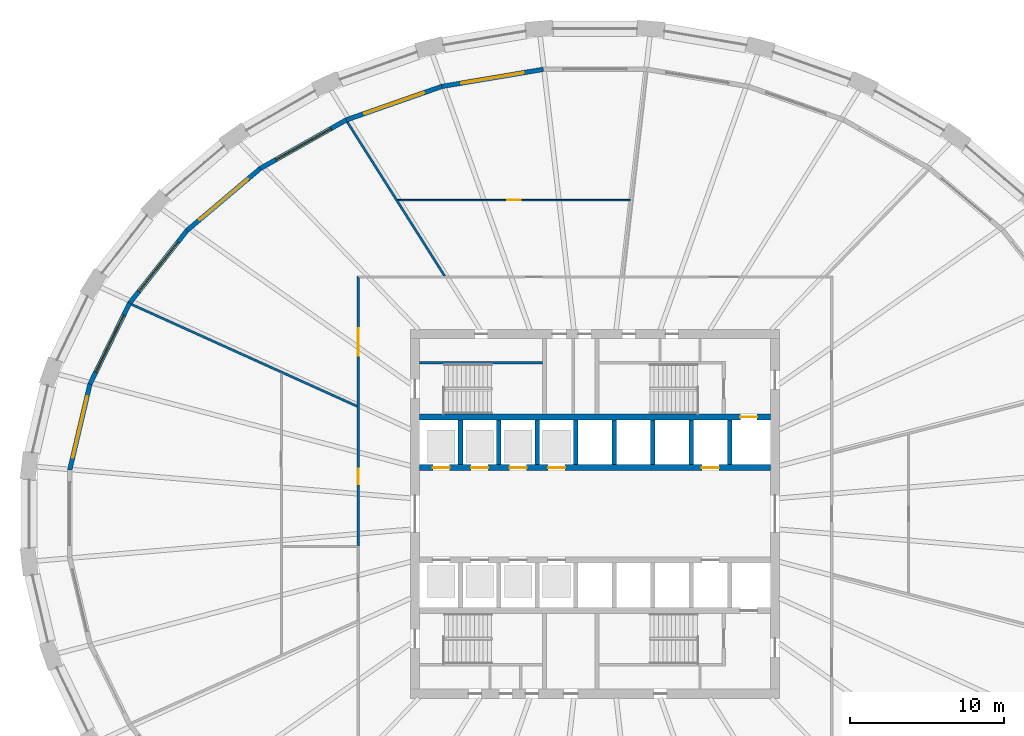
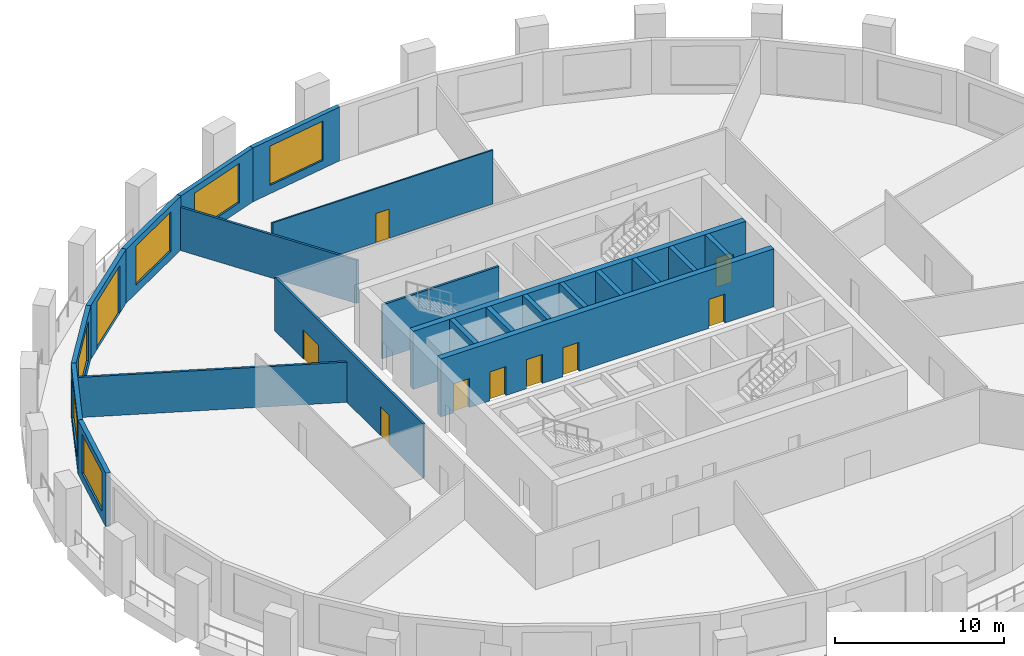
# One storey, part 5 of 10: 22 walls, 10 doors, 6 windows, 16 openings.
"""IFC4 building model written with IfcOpenShell, lengths in metres."""

from ifc_helpers import new_model, si_unit, direction, frame, frame_2d, origin, place, context, subcontext, project, spatial, polyline, rectangle, outline, extrude, material, layer, layer_set, type_object, element, fill, save


model = new_model("IFC4")

# Units and contexts
model_context = context("Model", 3, precision=1e-05, world=origin(), true_north=direction((0.0, 1.0)))
body_context = subcontext(model_context, "Body", "Model", "MODEL_VIEW")
ifc_project = project(units=[si_unit("LENGTHUNIT", "METRE"), si_unit("AREAUNIT", "SQUARE_METRE"), si_unit("VOLUMEUNIT", "CUBIC_METRE"), si_unit("PLANEANGLEUNIT", "RADIAN"), si_unit("MASSUNIT", "GRAM", prefix="KILO")], contexts=[model_context])

# Site, building, storey
site_placement = place(None, origin())
site = spatial("IfcSite", under=ifc_project, at=site_placement, CompositionType="ELEMENT")
building_placement = place(site_placement, origin())
building = spatial("IfcBuilding", under=site, at=building_placement, Name="Halqa Exchange Tower", CompositionType="ELEMENT")
storey_placement = place(building_placement, frame((0.0, 0.0, 61.300048828125)))
storey = spatial("IfcBuildingStorey", under=building, at=storey_placement, Name="L13", CompositionType="ELEMENT", Elevation=61.300048828125)

# Walls
ifc_material_1 = material(Name="Fire-rated gypsum board")
ifc_layer_1 = layer(ifc_material_1, 0.14990234375)
ifc_layer_set_1 = layer_set([ifc_layer_1], Name="Fire-rated gypsum board")
wall_type_1 = type_object("IfcWallType", Name="Fire partition EI 60 150", PredefinedType="PARTITIONING", material=ifc_layer_set_1)
wall_1_placement = place(storey_placement, frame((-30.14111328125, 13.61865234375, 0.0), z_axis=(0.0, 0.0, 1.0), x_axis=(0.911340188741, -0.411654054257, 0.0)))
element("IfcWall", 1, at=wall_1_placement, inside=storey, type_object=wall_type_1, Name="L13-PWL-002", PredefinedType="PARTITIONING", context=body_context, shape_type="SweptSolid", body=[
    extrude(outline(polyline([(0.0, -0.074951171875), (1.795654296875, -0.074951171875), (3.591552734375, -0.074951171875), (5.38720703125, -0.074951171875), (7.182861328125, -0.074951171875), (8.978759765625, -0.074951171875), (10.7744140625, -0.074951171875), (10.777099609375, -0.07373046875), (10.777587890625, -0.074951171875), (12.560546875, -0.074951171875), (14.34375, -0.074951171875), (16.126708984375, -0.074951171875), (16.126708984375, -0.074951171875), (16.05908203125, 0.074951171875), (14.27685546875, 0.074951171875), (12.494873046875, 0.074951171875), (10.712890625, 0.074951171875), (8.9306640625, 0.074951171875), (7.148681640625, 0.074951171875), (5.366455078125, 0.074951171875), (3.58447265625, 0.074951171875), (1.802490234375, 0.074951171875), (0.020263671875, 0.074951171875), (0.001953125, 0.001953125), (0.0, -0.06396484375), (0.0, -0.074951171875)])), origin(), (0.0, 0.0, 1.0), 2.909912109375),
])
wall_2_placement = place(storey_placement, frame((-16.11328125, 25.48193359375, 0.0), z_axis=(0.0, 0.0, 1.0), x_axis=(0.534334526362, -0.845273100209, 0.0)))
element("IfcWall", 2, at=wall_2_placement, inside=storey, type_object=wall_type_1, Name="L13-PWL-005", PredefinedType="PARTITIONING", context=body_context, shape_type="SweptSolid", body=[
    extrude(outline(polyline([(0.0, -0.074951171875), (1.96533203125, -0.074951171875), (3.930419921875, -0.074951171875), (5.895751953125, -0.074951171875), (7.86083984375, -0.074951171875), (9.826171875, -0.074951171875), (11.791259765625, -0.074951171875), (11.885986328125, 0.07470703125), (11.885986328125, 0.074951171875), (9.963623046875, 0.074951171875), (8.041015625, 0.074951171875), (6.11865234375, 0.074951171875), (6.11767578125, 0.0732421875), (6.114990234375, 0.074951171875), (4.59130859375, 0.074951171875), (3.067626953125, 0.074951171875), (1.5439453125, 0.074951171875), (0.020263671875, 0.074951171875), (0.00341796875, 0.00244140625), (0.0, -0.068603515625), (0.0, -0.074951171875)])), origin(), (0.0, 0.0, 1.0), 3.1298828125),
])

# Wall, openings, doors
wall_3_placement = place(storey_placement, frame((-15.39990234375, -2.1201171875, 0.0), z_axis=(0.0, 0.0, 1.0), x_axis=(0.0, 1.0, 0.0)))
wall_3 = element("IfcWall", 3, at=wall_3_placement, inside=storey, type_object=wall_type_1, Name="L13-PWL-009", PredefinedType="PARTITIONING", context=body_context, shape_type="SweptSolid", body=[
    extrude(outline(polyline([(0.0, -0.074951171875), (1.938232421875, -0.074951171875), (3.876708984375, -0.074951171875), (5.81494140625, -0.074951171875), (7.75341796875, -0.074951171875), (9.691650390625, -0.074951171875), (11.630126953125, -0.074951171875), (13.568359375, -0.074951171875), (15.5068359375, -0.074951171875), (17.445068359375, -0.074951171875), (17.594970703125, 0.074951171875), (15.639892578125, 0.074951171875), (13.68505859375, 0.074951171875), (11.72998046875, 0.074951171875), (9.77490234375, 0.074951171875), (7.820068359375, 0.074951171875), (5.864990234375, 0.074951171875), (3.909912109375, 0.074951171875), (1.955078125, 0.074951171875), (0.0, 0.074951171875), (0.0, -0.074951171875)])), origin(), (0.0, 0.0, 1.0), 3.89990234375),
])
opening_1_placement = place(wall_3_placement, frame((12.39990234375, 0.0, 0.0)))
opening_1 = element("IfcOpeningElement", 4, at=opening_1_placement, cuts=wall_3, Name="Opening 04-06", PredefinedType="OPENING", context=body_context, shape_type="SweptSolid", body=[
    extrude(rectangle(XDim=1.800048828125, YDim=2.10009765625, at=frame_2d((0.89990234375, 1.050048828125))), frame((0.0, 0.0869140625, 0.0), z_axis=(0.0, -1.0, 0.0), x_axis=(1.0, 0.0, 0.0)), (0.0, 0.0, 1.0), 0.173828125),
])
opening_2_placement = place(wall_3_placement, frame((4.0400390625, 0.0, 0.0)))
opening_2 = element("IfcOpeningElement", 5, at=opening_2_placement, cuts=wall_3, Name="Opening 04-08", PredefinedType="OPENING", context=body_context, shape_type="SweptSolid", body=[
    extrude(rectangle(XDim=1.0, YDim=2.10009765625, at=frame_2d((0.5, 1.050048828125))), frame((0.0, 0.0869140625, 0.0), z_axis=(0.0, -1.0, 0.0), x_axis=(1.0, 0.0, 0.0)), (0.0, 0.0, 1.0), 0.173828125),
])
ifc_material_2 = material(Name="Steel fire door leaf", Category="steel")
door_type_1 = type_object("IfcDoorType", Name="Fire door FD30S 1000 x 2100", OperationType="SINGLE_SWING_LEFT", PredefinedType="DOOR", material=ifc_material_2)
door_1_placement = place(opening_2_placement, origin())
door_1 = element("IfcDoor", 6, at=door_1_placement, inside=storey, type_object=door_type_1, Name="L13-IDR-008", OperationType="SINGLE_SWING_LEFT", OverallHeight=2.10009765625, OverallWidth=1.0, PredefinedType="DOOR", context=body_context, shape_type="SweptSolid", body=[
    extrude(rectangle(XDim=1.0, YDim=2.10009765625, at=frame_2d((0.5, 1.050048828125))), frame((0.0, 0.02490234375, 0.0), z_axis=(0.0, -1.0, 0.0), x_axis=(1.0, 0.0, 0.0)), (0.0, 0.0, 1.0), 0.050048828125),
])
fill(opening_2, door_1)
door_type_2 = type_object("IfcDoorType", Name="Fire door FD30S double 1800 x 2100", OperationType="DOUBLE_DOOR_SINGLE_SWING", PredefinedType="DOOR", material=ifc_material_2)
door_2_placement = place(opening_1_placement, origin())
door_2 = element("IfcDoor", 7, at=door_2_placement, inside=storey, type_object=door_type_2, Name="L13-IDR-006", OperationType="DOUBLE_DOOR_SINGLE_SWING", OverallHeight=2.10009765625, OverallWidth=1.800048828125, PredefinedType="DOOR", context=body_context, shape_type="SweptSolid", body=[
    extrude(rectangle(XDim=1.800048828125, YDim=2.10009765625, at=frame_2d((0.89990234375, 1.050048828125))), frame((0.0, 0.02490234375, 0.0), z_axis=(0.0, -1.0, 0.0), x_axis=(1.0, 0.0, 0.0)), (0.0, 0.0, 1.0), 0.050048828125),
])
fill(opening_1, door_2)

# Wall, opening, door
ifc_material_3 = material(Name="Gypsum board")
ifc_layer_2 = layer(ifc_material_3, 0.10009765625)
ifc_layer_set_2 = layer_set([ifc_layer_2], Name="Gypsum board")
wall_type_2 = type_object("IfcWallType", Name="Partition 100 gypsum", PredefinedType="PARTITIONING", material=ifc_layer_set_2)
wall_4_placement = place(storey_placement, frame((-12.843017578125, 20.39990234375, 0.0), z_axis=(0.0, 0.0, 1.0), x_axis=(1.0, 0.0, 0.0)))
wall_4 = element("IfcWall", 8, at=wall_4_placement, inside=storey, type_object=wall_type_2, Name="L13-PWL-011", PredefinedType="PARTITIONING", context=body_context, shape_type="SweptSolid", body=[
    extrude(outline(polyline([(0.062744140625, -0.050048828125), (1.946533203125, -0.050048828125), (3.83056640625, -0.050048828125), (5.71435546875, -0.050048828125), (7.598388671875, -0.050048828125), (9.482177734375, -0.050048828125), (11.3662109375, -0.050048828125), (13.25, -0.050048828125), (15.134033203125, -0.050048828125), (15.1455078125, 0.048583984375), (15.1455078125, 0.050048828125), (13.25244140625, 0.050048828125), (11.359130859375, 0.050048828125), (9.4658203125, 0.050048828125), (7.57275390625, 0.050048828125), (5.6796875, 0.050048828125), (3.786376953125, 0.050048828125), (1.89306640625, 0.050048828125), (0.0, 0.050048828125), (0.0, 0.04931640625), (0.062744140625, -0.050048828125)])), origin(), (0.0, 0.0, 1.0), 3.89990234375),
])
opening_3_placement = place(wall_4_placement, frame((7.1279296875, 0.0, 0.0)))
opening_3 = element("IfcOpeningElement", 9, at=opening_3_placement, cuts=wall_4, Name="Opening 04-13", PredefinedType="OPENING", context=body_context, shape_type="SweptSolid", body=[
    extrude(rectangle(XDim=0.89990234375, YDim=2.10009765625, at=frame_2d((0.449951171875, 1.050048828125))), frame((0.0, 0.06201171875, 0.0), z_axis=(0.0, -1.0, 0.0), x_axis=(1.0, 0.0, 0.0)), (0.0, 0.0, 1.0), 0.1240234375),
])
ifc_material_4 = material(Name="Timber door leaf", Category="wood")
door_type_3 = type_object("IfcDoorType", Name="Door 900 x 2100", OperationType="SINGLE_SWING_LEFT", PredefinedType="DOOR", material=ifc_material_4)
door_3_placement = place(opening_3_placement, frame((0.89990234375, 0.0, 0.0), z_axis=(0.0, 0.0, 1.0), x_axis=(-1.0, 0.0, 0.0)))
door_3 = element("IfcDoor", 10, at=door_3_placement, inside=storey, type_object=door_type_3, Name="L13-IDR-013", OperationType="SINGLE_SWING_LEFT", OverallHeight=2.10009765625, OverallWidth=0.89990234375, PredefinedType="DOOR", context=body_context, shape_type="SweptSolid", body=[
    extrude(rectangle(XDim=0.89990234375, YDim=2.10009765625, at=frame_2d((0.449951171875, 1.050048828125))), frame((0.0, 0.02490234375, 0.0), z_axis=(0.0, -1.0, 0.0), x_axis=(1.0, 0.0, 0.0)), (0.0, 0.0, 1.0), 0.050048828125),
])
fill(opening_3, door_3)

# Walls
ifc_material_5 = material(Name="Concrete C60/75", Category="concrete")
ifc_layer_3 = layer(ifc_material_5, 0.300048828125)
ifc_layer_set_3 = layer_set([ifc_layer_3], Name="Concrete C60/75")
wall_type_3 = type_object("IfcWallType", Name="RC core wall 300", PredefinedType="SHEAR", material=ifc_layer_set_3)
for number, where, z_axis, x_axis, name in (
    (11, (-8.75, 3.199951171875, 0.0), (0.0, 0.0, 1.0), (0.0, 1.0, 0.0), "Shaft divider N1"),
    (12, (-6.25, 3.199951171875, 0.0), (0.0, 0.0, 1.0), (0.0, 1.0, 0.0), "Shaft divider N2"),
    (13, (-3.75, 3.199951171875, 0.0), (0.0, 0.0, 1.0), (0.0, 1.0, 0.0), "Shaft divider N3"),
    (14, (-1.25, 3.199951171875, 0.0), (0.0, 0.0, 1.0), (0.0, 1.0, 0.0), "Shaft divider N4"),
    (15, (1.25, 3.199951171875, 0.0), (0.0, 0.0, 1.0), (0.0, 1.0, 0.0), "Shaft divider N5"),
    (16, (3.75, 3.199951171875, 0.0), (0.0, 0.0, 1.0), (0.0, 1.0, 0.0), "Shaft divider N6"),
    (17, (6.25, 3.199951171875, 0.0), (0.0, 0.0, 1.0), (0.0, 1.0, 0.0), "Shaft divider N7"),
    (18, (8.75, 3.199951171875, 0.0), (0.0, 0.0, 1.0), (0.0, 1.0, 0.0), "Shaft divider N8"),
):
    element("IfcWall", number, at=place(storey_placement, frame(where, z_axis=z_axis, x_axis=x_axis)), inside=storey, type_object=wall_type_3, Name=name, PredefinedType="SHEAR", context=body_context, shape_type="SweptSolid", body=[
        extrude(rectangle(XDim=2.900146484375, YDim=0.300048828125, at=frame_2d((1.4501953125, 0.0))), origin(), (0.0, 0.0, 1.0), 4.199951171875),
    ])

# Wall, openings, doors
ifc_material_6 = material(Name="Concrete C80/95", Category="concrete")
ifc_layer_4 = layer(ifc_material_6, 0.39990234375)
ifc_layer_set_4 = layer_set([ifc_layer_4], Name="Concrete C80/95")
wall_type_4 = type_object("IfcWallType", Name="RC core wall 400 C80/95", PredefinedType="SHEAR", material=ifc_layer_set_4)
wall_5_placement = place(storey_placement, frame((-11.39990234375, 3.0, 0.0), z_axis=(0.0, 0.0, 1.0), x_axis=(1.0, 0.0, 0.0)))
wall_5 = element("IfcWall", 19, at=wall_5_placement, inside=storey, type_object=wall_type_4, Name="Lift row front wall N", PredefinedType="SHEAR", context=body_context, shape_type="SweptSolid", body=[
    extrude(rectangle(XDim=22.7998046875, YDim=0.39990234375, at=frame_2d((11.39990234375, 0.0))), origin(), (0.0, 0.0, 1.0), 4.199951171875),
])
opening_4_placement = place(wall_5_placement, frame((0.85009765625, 0.0, 0.0)))
opening_4 = element("IfcOpeningElement", 20, at=opening_4_placement, cuts=wall_5, Name="Opening LD-LR1-T04", PredefinedType="OPENING", context=body_context, shape_type="SweptSolid", body=[
    extrude(rectangle(XDim=1.10009765625, YDim=2.10009765625, at=frame_2d((0.550048828125, 1.050048828125))), frame((0.0, 0.2119140625, 0.0), z_axis=(0.0, -1.0, 0.0), x_axis=(1.0, 0.0, 0.0)), (0.0, 0.0, 1.0), 0.423828125),
])
opening_5_placement = place(wall_5_placement, frame((3.35009765625, 0.0, 0.0)))
opening_5 = element("IfcOpeningElement", 21, at=opening_5_placement, cuts=wall_5, Name="Opening LD-LR2-T04", PredefinedType="OPENING", context=body_context, shape_type="SweptSolid", body=[
    extrude(rectangle(XDim=1.10009765625, YDim=2.10009765625, at=frame_2d((0.550048828125, 1.050048828125))), frame((0.0, 0.2119140625, 0.0), z_axis=(0.0, -1.0, 0.0), x_axis=(1.0, 0.0, 0.0)), (0.0, 0.0, 1.0), 0.423828125),
])
opening_6_placement = place(wall_5_placement, frame((5.85009765625, 0.0, 0.0)))
opening_6 = element("IfcOpeningElement", 22, at=opening_6_placement, cuts=wall_5, Name="Opening LD-LR3-T04", PredefinedType="OPENING", context=body_context, shape_type="SweptSolid", body=[
    extrude(rectangle(XDim=1.10009765625, YDim=2.10009765625, at=frame_2d((0.550048828125, 1.050048828125))), frame((0.0, 0.2119140625, 0.0), z_axis=(0.0, -1.0, 0.0), x_axis=(1.0, 0.0, 0.0)), (0.0, 0.0, 1.0), 0.423828125),
])
opening_7_placement = place(wall_5_placement, frame((8.35009765625, 0.0, 0.0)))
opening_7 = element("IfcOpeningElement", 23, at=opening_7_placement, cuts=wall_5, Name="Opening LD-LR4-T04", PredefinedType="OPENING", context=body_context, shape_type="SweptSolid", body=[
    extrude(rectangle(XDim=1.10009765625, YDim=2.10009765625, at=frame_2d((0.550048828125, 1.050048828125))), frame((0.0, 0.2119140625, 0.0), z_axis=(0.0, -1.0, 0.0), x_axis=(1.0, 0.0, 0.0)), (0.0, 0.0, 1.0), 0.423828125),
])
opening_8_placement = place(wall_5_placement, frame((18.35009765625, 0.0, 0.0)))
opening_8 = element("IfcOpeningElement", 24, at=opening_8_placement, cuts=wall_5, Name="Opening LD-SV1-T04", PredefinedType="OPENING", context=body_context, shape_type="SweptSolid", body=[
    extrude(rectangle(XDim=1.10009765625, YDim=2.10009765625, at=frame_2d((0.550048828125, 1.050048828125))), frame((0.0, 0.2119140625, 0.0), z_axis=(0.0, -1.0, 0.0), x_axis=(1.0, 0.0, 0.0)), (0.0, 0.0, 1.0), 0.423828125),
])
ifc_material_7 = material(Name="Stainless steel", Category="steel")
door_type_4 = type_object("IfcDoorType", Name="Lift landing door 1100 x 2100", OperationType="SLIDING_TO_LEFT", PredefinedType="DOOR", material=ifc_material_7)
door_4_placement = place(opening_4_placement, origin())
door_4 = element("IfcDoor", 25, at=door_4_placement, inside=storey, type_object=door_type_4, Name="Lift landing door LR1", OperationType="SLIDING_TO_LEFT", OverallHeight=2.10009765625, OverallWidth=1.10009765625, PredefinedType="DOOR", context=body_context, shape_type="SweptSolid", body=[
    extrude(rectangle(XDim=1.10009765625, YDim=2.10009765625, at=frame_2d((0.550048828125, 1.050048828125))), frame((0.0, 0.02490234375, 0.0), z_axis=(0.0, -1.0, 0.0), x_axis=(1.0, 0.0, 0.0)), (0.0, 0.0, 1.0), 0.050048828125),
])
fill(opening_4, door_4)
door_5_placement = place(opening_5_placement, origin())
door_5 = element("IfcDoor", 26, at=door_5_placement, inside=storey, type_object=door_type_4, Name="Lift landing door LR2", OperationType="SLIDING_TO_LEFT", OverallHeight=2.10009765625, OverallWidth=1.10009765625, PredefinedType="DOOR", context=body_context, shape_type="SweptSolid", body=[
    extrude(rectangle(XDim=1.10009765625, YDim=2.10009765625, at=frame_2d((0.550048828125, 1.050048828125))), frame((0.0, 0.02490234375, 0.0), z_axis=(0.0, -1.0, 0.0), x_axis=(1.0, 0.0, 0.0)), (0.0, 0.0, 1.0), 0.050048828125),
])
fill(opening_5, door_5)
door_6_placement = place(opening_6_placement, origin())
door_6 = element("IfcDoor", 27, at=door_6_placement, inside=storey, type_object=door_type_4, Name="Lift landing door LR3", OperationType="SLIDING_TO_LEFT", OverallHeight=2.10009765625, OverallWidth=1.10009765625, PredefinedType="DOOR", context=body_context, shape_type="SweptSolid", body=[
    extrude(rectangle(XDim=1.10009765625, YDim=2.10009765625, at=frame_2d((0.550048828125, 1.050048828125))), frame((0.0, 0.02490234375, 0.0), z_axis=(0.0, -1.0, 0.0), x_axis=(1.0, 0.0, 0.0)), (0.0, 0.0, 1.0), 0.050048828125),
])
fill(opening_6, door_6)
door_7_placement = place(opening_7_placement, origin())
door_7 = element("IfcDoor", 28, at=door_7_placement, inside=storey, type_object=door_type_4, Name="Lift landing door LR4", OperationType="SLIDING_TO_LEFT", OverallHeight=2.10009765625, OverallWidth=1.10009765625, PredefinedType="DOOR", context=body_context, shape_type="SweptSolid", body=[
    extrude(rectangle(XDim=1.10009765625, YDim=2.10009765625, at=frame_2d((0.550048828125, 1.050048828125))), frame((0.0, 0.02490234375, 0.0), z_axis=(0.0, -1.0, 0.0), x_axis=(1.0, 0.0, 0.0)), (0.0, 0.0, 1.0), 0.050048828125),
])
fill(opening_7, door_7)
door_8_placement = place(opening_8_placement, origin())
door_8 = element("IfcDoor", 29, at=door_8_placement, inside=storey, type_object=door_type_4, Name="Lift landing door SV1", OperationType="SLIDING_TO_LEFT", OverallHeight=2.10009765625, OverallWidth=1.10009765625, PredefinedType="DOOR", context=body_context, shape_type="SweptSolid", body=[
    extrude(rectangle(XDim=1.10009765625, YDim=2.10009765625, at=frame_2d((0.550048828125, 1.050048828125))), frame((0.0, 0.02490234375, 0.0), z_axis=(0.0, -1.0, 0.0), x_axis=(1.0, 0.0, 0.0)), (0.0, 0.0, 1.0), 0.050048828125),
])
fill(opening_8, door_8)

# Wall, opening, door
wall_6_placement = place(storey_placement, frame((-11.39990234375, 6.300048828125, 0.0), z_axis=(0.0, 0.0, 1.0), x_axis=(1.0, 0.0, 0.0)))
wall_6 = element("IfcWall", 30, at=wall_6_placement, inside=storey, type_object=wall_type_4, Name="Lift row back wall N", PredefinedType="SHEAR", context=body_context, shape_type="SweptSolid", body=[
    extrude(rectangle(XDim=22.7998046875, YDim=0.39990234375, at=frame_2d((11.39990234375, 0.0))), origin(), (0.0, 0.0, 1.0), 4.199951171875),
])
opening_9_placement = place(wall_6_placement, frame((20.85009765625, 0.0, 0.0)))
opening_9 = element("IfcOpeningElement", 31, at=opening_9_placement, cuts=wall_6, Name="Opening LD-FF1-T04", PredefinedType="OPENING", context=body_context, shape_type="SweptSolid", body=[
    extrude(rectangle(XDim=1.10009765625, YDim=2.10009765625, at=frame_2d((0.550048828125, 1.050048828125))), frame((0.0, 0.2119140625, 0.0), z_axis=(0.0, -1.0, 0.0), x_axis=(1.0, 0.0, 0.0)), (0.0, 0.0, 1.0), 0.423828125),
])
door_9_placement = place(opening_9_placement, origin())
door_9 = element("IfcDoor", 32, at=door_9_placement, inside=storey, type_object=door_type_4, Name="Lift landing door FF1", OperationType="SLIDING_TO_LEFT", OverallHeight=2.10009765625, OverallWidth=1.10009765625, PredefinedType="DOOR", context=body_context, shape_type="SweptSolid", body=[
    extrude(rectangle(XDim=1.10009765625, YDim=2.10009765625, at=frame_2d((0.550048828125, 1.050048828125))), frame((0.0, 0.02490234375, 0.0), z_axis=(0.0, -1.0, 0.0), x_axis=(1.0, 0.0, 0.0)), (0.0, 0.0, 1.0), 0.050048828125),
])
fill(opening_9, door_9)

# Wall
ifc_material_8 = material(Name="Concrete C30/37", Category="concrete")
ifc_layer_5 = layer(ifc_material_8, 0.14990234375)
ifc_layer_set_5 = layer_set([ifc_layer_5], Name="Concrete C30/37")
wall_type_5 = type_object("IfcWallType", Name="RC stair wall 150 C30/37", PredefinedType="SHEAR", material=ifc_layer_set_5)
wall_7_placement = place(storey_placement, frame((-11.39990234375, 9.824951171875, 0.0), z_axis=(0.0, 0.0, 1.0), x_axis=(1.0, 0.0, 0.0)))
element("IfcWall", 33, at=wall_7_placement, inside=storey, type_object=wall_type_5, Name="Stair ST1 north wall N", PredefinedType="SHEAR", context=body_context, shape_type="SweptSolid", body=[
    extrude(rectangle(XDim=8.0, YDim=0.14990234375, at=frame_2d((4.0, 0.0))), origin(), (0.0, 0.0, 1.0), 3.89990234375),
])

# Wall, opening, window
ifc_material_9 = material(Name="Limestone cladding", Category="masonry")
ifc_layer_6 = layer(ifc_material_9, 0.0400390625)
ifc_material_10 = material(Name="Ventilated cavity")
ifc_layer_7 = layer(ifc_material_10, 0.030029296875, ventilated=True)
ifc_material_11 = material(Name="Mineral wool insulation")
ifc_layer_8 = layer(ifc_material_11, 0.10009765625)
ifc_layer_9 = layer(ifc_material_8, 0.10009765625)
ifc_material_12 = material(Name="Internal plaster")
ifc_layer_10 = layer(ifc_material_12, 0.030029296875)
ifc_layer_set_6 = layer_set([ifc_layer_6, ifc_layer_7, ifc_layer_8, ifc_layer_9, ifc_layer_10], Name="Stone-faced insulated wall 300")
wall_type_6 = type_object("IfcWallType", Name="Stone-faced insulated wall 300", PredefinedType="STANDARD", material=ifc_layer_set_6)
wall_8_placement = place(storey_placement, frame((-3.362060546875, 28.902587890625, 0.0), z_axis=(0.0, 0.0, 1.0), x_axis=(-0.986153133093, -0.165837263877, 0.0)))
wall_8 = element("IfcWall", 34, at=wall_8_placement, inside=storey, type_object=wall_type_6, Name="Glass-line wall 9", PredefinedType="STANDARD", context=body_context, shape_type="SweptSolid", body=[
    extrude(outline(polyline([(-0.012451171875, -0.14990234375), (6.70068359375, -0.14990234375), (6.67529296875, 0.14990234375), (0.012451171875, 0.14990234375), (-0.012451171875, -0.14990234375)])), origin(), (0.0, 0.0, 1.0), 3.89990234375),
])
opening_10_placement = place(wall_8_placement, frame((1.294189453125, 0.0, 0.60009765625)))
opening_10 = element("IfcOpeningElement", 35, at=opening_10_placement, cuts=wall_8, Name="Opening W-F1-09", PredefinedType="OPENING", context=body_context, shape_type="SweptSolid", body=[
    extrude(rectangle(XDim=4.10009765625, YDim=2.85009765625, at=frame_2d((2.050048828125, 1.425048828125))), frame((0.0, 0.162109375, 0.0), z_axis=(0.0, -1.0, 0.0), x_axis=(1.0, 0.0, 0.0)), (0.0, 0.0, 1.0), 0.323974609375),
])
ifc_material_13 = material(Name="Clear low-emissivity glass in aluminium frame", Category="aluminium")
window_type = type_object("IfcWindowType", Name="Fixed clear glazed window 4100 x 2850", PartitioningType="TRIPLE_PANEL_VERTICAL", PredefinedType="WINDOW", material=ifc_material_13)
window_1_placement = place(opening_10_placement, origin())
window_1 = element("IfcWindow", 36, at=window_1_placement, inside=storey, type_object=window_type, Name="Window 1", OverallHeight=2.85009765625, OverallWidth=4.10009765625, PartitioningType="TRIPLE_PANEL_VERTICAL", PredefinedType="WINDOW", context=body_context, shape_type="SweptSolid", body=[
    extrude(rectangle(XDim=4.10009765625, YDim=2.85009765625, at=frame_2d((2.050048828125, 1.425048828125))), frame((0.0, 0.030029296875, 0.0), z_axis=(0.0, -1.0, 0.0), x_axis=(1.0, 0.0, 0.0)), (0.0, 0.0, 1.0), 0.06005859375),
])
fill(opening_10, window_1)

wall_9_placement = place(storey_placement, frame((-9.95751953125, 27.79345703125, 0.0), z_axis=(0.0, 0.0, 1.0), x_axis=(-0.94380689486, -0.330497420889, 0.0)))
wall_9 = element("IfcWall", 37, at=wall_9_placement, inside=storey, type_object=wall_type_6, Name="Glass-line wall 10", PredefinedType="STANDARD", context=body_context, shape_type="SweptSolid", body=[
    extrude(outline(polyline([(-0.0126953125, -0.14990234375), (6.597412109375, -0.14990234375), (6.570556640625, 0.14990234375), (0.0126953125, 0.14990234375), (-0.0126953125, -0.14990234375)])), origin(), (0.0, 0.0, 1.0), 3.89990234375),
])
opening_11_placement = place(wall_9_placement, frame((1.241943359375, 0.0, 0.60009765625)))
opening_11 = element("IfcOpeningElement", 38, at=opening_11_placement, cuts=wall_9, Name="Opening W-F1-10", PredefinedType="OPENING", context=body_context, shape_type="SweptSolid", body=[
    extrude(rectangle(XDim=4.10009765625, YDim=2.85009765625, at=frame_2d((2.050048828125, 1.425048828125))), frame((0.0, 0.162109375, 0.0), z_axis=(0.0, -1.0, 0.0), x_axis=(1.0, 0.0, 0.0)), (0.0, 0.0, 1.0), 0.323974609375),
])
window_2_placement = place(opening_11_placement, origin())
window_2 = element("IfcWindow", 39, at=window_2_placement, inside=storey, type_object=window_type, Name="Window 1", OverallHeight=2.85009765625, OverallWidth=4.10009765625, PartitioningType="TRIPLE_PANEL_VERTICAL", PredefinedType="WINDOW", context=body_context, shape_type="SweptSolid", body=[
    extrude(rectangle(XDim=4.10009765625, YDim=2.85009765625, at=frame_2d((2.050048828125, 1.425048828125))), frame((0.0, 0.030029296875, 0.0), z_axis=(0.0, -1.0, 0.0), x_axis=(1.0, 0.0, 0.0)), (0.0, 0.0, 1.0), 0.06005859375),
])
fill(opening_11, window_2)

wall_10_placement = place(storey_placement, frame((-16.171630859375, 25.617431640625, 0.0), z_axis=(0.0, 0.0, 1.0), x_axis=(-0.870673928577, -0.491860661262, 0.0)))
wall_10 = element("IfcWall", 40, at=wall_10_placement, inside=storey, type_object=wall_type_6, Name="Glass-line wall 11", PredefinedType="STANDARD", context=body_context, shape_type="SweptSolid", body=[
    extrude(outline(polyline([(-0.013427734375, -0.14990234375), (6.43896484375, -0.14990234375), (6.41064453125, 0.14990234375), (0.013427734375, 0.14990234375), (-0.013427734375, -0.14990234375)])), origin(), (0.0, 0.0, 1.0), 3.89990234375),
])
opening_12_placement = place(wall_10_placement, frame((1.16259765625, 0.0, 0.60009765625)))
opening_12 = element("IfcOpeningElement", 41, at=opening_12_placement, cuts=wall_10, Name="Opening W-F1-11", PredefinedType="OPENING", context=body_context, shape_type="SweptSolid", body=[
    extrude(rectangle(XDim=4.10009765625, YDim=2.85009765625, at=frame_2d((2.050048828125, 1.425048828125))), frame((0.0, 0.162109375, 0.0), z_axis=(0.0, -1.0, 0.0), x_axis=(1.0, 0.0, 0.0)), (0.0, 0.0, 1.0), 0.323974609375),
])
window_3_placement = place(opening_12_placement, origin())
window_3 = element("IfcWindow", 42, at=window_3_placement, inside=storey, type_object=window_type, Name="Window 1", OverallHeight=2.85009765625, OverallWidth=4.10009765625, PartitioningType="TRIPLE_PANEL_VERTICAL", PredefinedType="WINDOW", context=body_context, shape_type="SweptSolid", body=[
    extrude(rectangle(XDim=4.10009765625, YDim=2.85009765625, at=frame_2d((2.050048828125, 1.425048828125))), frame((0.0, 0.030029296875, 0.0), z_axis=(0.0, -1.0, 0.0), x_axis=(1.0, 0.0, 0.0)), (0.0, 0.0, 1.0), 0.06005859375),
])
fill(opening_12, window_3)

# Wall, opening, door
wall_11_placement = place(storey_placement, frame((-21.765625, 22.457275390625, 0.0), z_axis=(0.0, 0.0, 1.0), x_axis=(-0.763655167989, -0.645624336905, 0.0)))
wall_11 = element("IfcWall", 43, at=wall_11_placement, inside=storey, type_object=wall_type_6, Name="Glass-line wall 12", PredefinedType="STANDARD", context=body_context, shape_type="SweptSolid", body=[
    extrude(outline(polyline([(-0.01416015625, -0.14990234375), (6.247314453125, -0.14990234375), (6.217041015625, 0.14990234375), (0.01416015625, 0.14990234375), (-0.01416015625, -0.14990234375)])), origin(), (0.0, 0.0, 1.0), 3.89990234375),
])
opening_13_placement = place(wall_11_placement, frame((1.066162109375, 0.0, 0.0)))
opening_13 = element("IfcOpeningElement", 44, at=opening_13_placement, cuts=wall_11, Name="Opening LG-F1-03", PredefinedType="OPENING", context=body_context, shape_type="SweptSolid", body=[
    extrude(rectangle(XDim=4.10009765625, YDim=3.449951171875, at=frame_2d((2.050048828125, 1.72509765625))), frame((0.0, 0.162109375, 0.0), z_axis=(0.0, -1.0, 0.0), x_axis=(1.0, 0.0, 0.0)), (0.0, 0.0, 1.0), 0.323974609375),
])
door_type_5 = type_object("IfcDoorType", Name="Glazed sliding loggia door 4100 x 3450", OperationType="DOUBLE_DOOR_SLIDING", PredefinedType="DOOR", material=ifc_material_13)
door_10_placement = place(opening_13_placement, origin())
door_10 = element("IfcDoor", 45, at=door_10_placement, inside=storey, type_object=door_type_5, Name="Loggia door 3", OperationType="DOUBLE_DOOR_SLIDING", OverallHeight=3.449951171875, OverallWidth=4.10009765625, PredefinedType="DOOR", context=body_context, shape_type="SweptSolid", body=[
    extrude(rectangle(XDim=4.10009765625, YDim=3.449951171875, at=frame_2d((2.050048828125, 1.72509765625))), frame((0.0, 0.02490234375, 0.0), z_axis=(0.0, -1.0, 0.0), x_axis=(1.0, 0.0, 0.0)), (0.0, 0.0, 1.0), 0.050048828125),
])
fill(opening_13, door_10)

# Wall, opening, window
wall_12_placement = place(storey_placement, frame((-26.52490234375, 18.43359375, 0.0), z_axis=(0.0, 0.0, 1.0), x_axis=(-0.620065339223, -0.784550173727, 0.0)))
wall_12 = element("IfcWall", 46, at=wall_12_placement, inside=storey, type_object=wall_type_6, Name="Glass-line wall 13", PredefinedType="STANDARD", context=body_context, shape_type="SweptSolid", body=[
    extrude(outline(polyline([(-0.01513671875, -0.14990234375), (6.0498046875, -0.14990234375), (6.017578125, 0.14990234375), (0.01513671875, 0.14990234375), (-0.01513671875, -0.14990234375)])), origin(), (0.0, 0.0, 1.0), 3.89990234375),
])
opening_14_placement = place(wall_12_placement, frame((0.966796875, 0.0, 0.60009765625)))
opening_14 = element("IfcOpeningElement", 47, at=opening_14_placement, cuts=wall_12, Name="Opening W-F1-13", PredefinedType="OPENING", context=body_context, shape_type="SweptSolid", body=[
    extrude(rectangle(XDim=4.10009765625, YDim=2.85009765625, at=frame_2d((2.050048828125, 1.425048828125))), frame((0.0, 0.162109375, 0.0), z_axis=(0.0, -1.0, 0.0), x_axis=(1.0, 0.0, 0.0)), (0.0, 0.0, 1.0), 0.323974609375),
])
window_4_placement = place(opening_14_placement, origin())
window_4 = element("IfcWindow", 48, at=window_4_placement, inside=storey, type_object=window_type, Name="Window 1", OverallHeight=2.85009765625, OverallWidth=4.10009765625, PartitioningType="TRIPLE_PANEL_VERTICAL", PredefinedType="WINDOW", context=body_context, shape_type="SweptSolid", body=[
    extrude(rectangle(XDim=4.10009765625, YDim=2.85009765625, at=frame_2d((2.050048828125, 1.425048828125))), frame((0.0, 0.030029296875, 0.0), z_axis=(0.0, -1.0, 0.0), x_axis=(1.0, 0.0, 0.0)), (0.0, 0.0, 1.0), 0.06005859375),
])
fill(opening_14, window_4)

wall_13_placement = place(storey_placement, frame((-30.26611328125, 13.699951171875, 0.0), z_axis=(0.0, 0.0, 1.0), x_axis=(-0.439949735177, -0.898022399786, 0.0)))
wall_13 = element("IfcWall", 49, at=wall_13_placement, inside=storey, type_object=wall_type_6, Name="Glass-line wall 14", PredefinedType="STANDARD", context=body_context, shape_type="SweptSolid", body=[
    extrude(outline(polyline([(-0.01611328125, -0.14990234375), (5.876953125, -0.14990234375), (5.84326171875, 0.14990234375), (0.01611328125, 0.14990234375), (-0.01611328125, -0.14990234375)])), origin(), (0.0, 0.0, 1.0), 3.89990234375),
])
opening_15_placement = place(wall_13_placement, frame((0.8798828125, 0.0, 0.60009765625)))
opening_15 = element("IfcOpeningElement", 50, at=opening_15_placement, cuts=wall_13, Name="Opening W-F1-14", PredefinedType="OPENING", context=body_context, shape_type="SweptSolid", body=[
    extrude(rectangle(XDim=4.10009765625, YDim=2.85009765625, at=frame_2d((2.050048828125, 1.425048828125))), frame((0.0, 0.162109375, 0.0), z_axis=(0.0, -1.0, 0.0), x_axis=(1.0, 0.0, 0.0)), (0.0, 0.0, 1.0), 0.323974609375),
])
window_5_placement = place(opening_15_placement, origin())
window_5 = element("IfcWindow", 51, at=window_5_placement, inside=storey, type_object=window_type, Name="Window 1", OverallHeight=2.85009765625, OverallWidth=4.10009765625, PartitioningType="TRIPLE_PANEL_VERTICAL", PredefinedType="WINDOW", context=body_context, shape_type="SweptSolid", body=[
    extrude(rectangle(XDim=4.10009765625, YDim=2.85009765625, at=frame_2d((2.050048828125, 1.425048828125))), frame((0.0, 0.030029296875, 0.0), z_axis=(0.0, -1.0, 0.0), x_axis=(1.0, 0.0, 0.0)), (0.0, 0.0, 1.0), 0.06005859375),
])
fill(opening_15, window_5)

wall_14_placement = place(storey_placement, frame((-32.84423828125, 8.4375, 0.0), z_axis=(0.0, 0.0, 1.0), x_axis=(-0.22905355604, -0.973413821797, 0.0)))
wall_14 = element("IfcWall", 52, at=wall_14_placement, inside=storey, type_object=wall_type_6, Name="Glass-line wall 15", PredefinedType="STANDARD", context=body_context, shape_type="SweptSolid", body=[
    extrude(outline(polyline([(-0.016845703125, -0.14990234375), (5.758056640625, -0.14990234375), (5.723388671875, 0.14990234375), (0.016845703125, 0.14990234375), (-0.016845703125, -0.14990234375)])), origin(), (0.0, 0.0, 1.0), 3.89990234375),
])
opening_16_placement = place(wall_14_placement, frame((0.8203125, 0.0, 0.60009765625)))
opening_16 = element("IfcOpeningElement", 53, at=opening_16_placement, cuts=wall_14, Name="Opening W-F1-15", PredefinedType="OPENING", context=body_context, shape_type="SweptSolid", body=[
    extrude(rectangle(XDim=4.10009765625, YDim=2.85009765625, at=frame_2d((2.050048828125, 1.425048828125))), frame((0.0, 0.162109375, 0.0), z_axis=(0.0, -1.0, 0.0), x_axis=(1.0, 0.0, 0.0)), (0.0, 0.0, 1.0), 0.323974609375),
])
window_6_placement = place(opening_16_placement, origin())
window_6 = element("IfcWindow", 54, at=window_6_placement, inside=storey, type_object=window_type, Name="Window 1", OverallHeight=2.85009765625, OverallWidth=4.10009765625, PartitioningType="TRIPLE_PANEL_VERTICAL", PredefinedType="WINDOW", context=body_context, shape_type="SweptSolid", body=[
    extrude(rectangle(XDim=4.10009765625, YDim=2.85009765625, at=frame_2d((2.050048828125, 1.425048828125))), frame((0.0, 0.030029296875, 0.0), z_axis=(0.0, -1.0, 0.0), x_axis=(1.0, 0.0, 0.0)), (0.0, 0.0, 1.0), 0.06005859375),
])
fill(opening_16, window_6)

save(model, "model.ifc")
